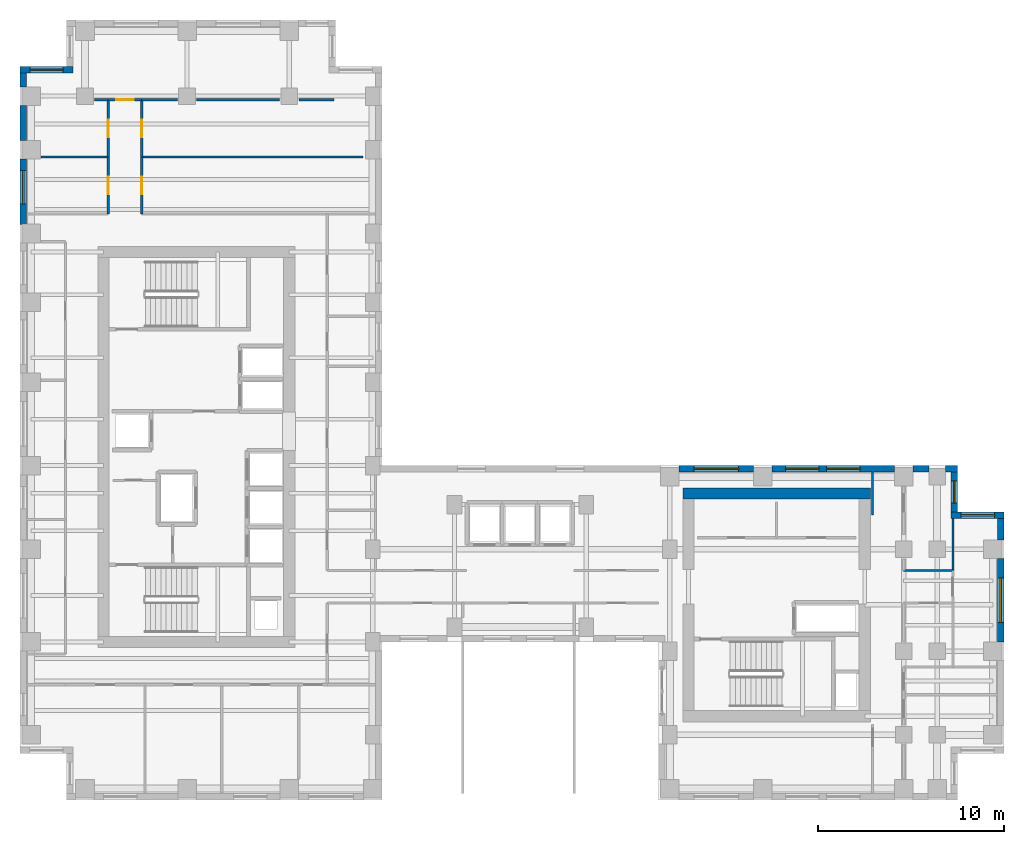
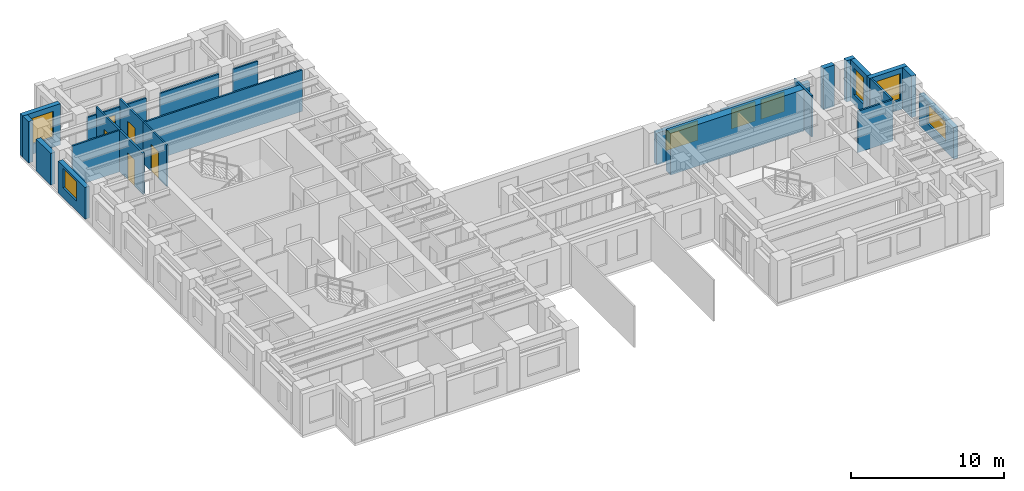
# One storey, part 9 of 12: 27 walls, 8 windows, 5 doors, 13 openings.
"""IFC4 building model written with IfcOpenShell, lengths in metres."""

from ifc_helpers import new_model, si_unit, direction, frame, frame_2d, origin, place, context, subcontext, project, spatial, rectangle, extrude, source, transform, mapped, material, layer, layer_set, type_object, element, fill, save


model = new_model("IFC4")

# Units and contexts
model_context = context("Model", 3, precision=1e-05, world=origin(), true_north=direction((0.0, 1.0)))
body_context = subcontext(model_context, "Body", "Model", "MODEL_VIEW")
ifc_project = project(units=[si_unit("LENGTHUNIT", "METRE"), si_unit("AREAUNIT", "SQUARE_METRE"), si_unit("VOLUMEUNIT", "CUBIC_METRE"), si_unit("PLANEANGLEUNIT", "RADIAN"), si_unit("MASSUNIT", "GRAM", prefix="KILO")], contexts=[model_context])

# Site, building, storey
site_placement = place(None, origin())
site = spatial("IfcSite", under=ifc_project, at=site_placement, CompositionType="ELEMENT")
building_placement = place(site_placement, origin())
building = spatial("IfcBuilding", under=site, at=building_placement, Name="Kharzan Plaza Tower", CompositionType="ELEMENT")
storey_placement = place(building_placement, frame((0.0, 0.0, 204.300048828125)))
storey = spatial("IfcBuildingStorey", under=building, at=storey_placement, Name="L55", CompositionType="ELEMENT", Elevation=204.300048828125)

# Wall, opening, window
ifc_material_1 = material(Name="Concrete C40/50", Category="concrete")
ifc_layer_1 = layer(ifc_material_1, 0.35009765625)
ifc_layer_set_1 = layer_set([ifc_layer_1], Name="Concrete C40/50")
wall_type_1 = type_object("IfcWallType", Name="WL-EXT-MAS-Z3", PredefinedType="SOLIDWALL", material=ifc_layer_set_1)
wall_1_placement = place(storey_placement, frame((2.85009765625, 39.324951171875, 0.0), z_axis=(0.0, 0.0, 1.0), x_axis=(-1.0, 0.0, 0.0)))
wall_1 = element("IfcWall", 1, at=wall_1_placement, inside=storey, type_object=wall_type_1, Name="L55 Masonry-Frame Exterior Wall 08", PredefinedType="SOLIDWALL", context=body_context, shape_type="SweptSolid", body=[
    extrude(rectangle(XDim=2.85009765625, YDim=0.35009765625, at=frame_2d((1.425048828125, 0.0))), origin(), (0.0, 0.0, 1.0), 3.304931640625),
])
opening_1_placement = place(wall_1_placement, frame((0.52490234375, 0.0, 0.780029296875)))
opening_1 = element("IfcOpeningElement", 2, at=opening_1_placement, cuts=wall_1, Name="Opening W1", PredefinedType="OPENING", context=body_context, shape_type="SweptSolid", body=[
    extrude(rectangle(XDim=1.800048828125, YDim=2.10009765625, at=frame_2d((0.89990234375, 1.050048828125))), frame((0.0, 0.18505859375, 0.0), z_axis=(0.0, -1.0, 0.0), x_axis=(1.0, 0.0, 0.0)), (0.0, 0.0, 1.0), 0.3701171875),
])
ifc_material_2 = material(Name="Low-E Double Glazing", Category="glass")
window_type_1 = type_object("IfcWindowType", Name="WN-REC-1800x2100", PartitioningType="SINGLE_PANEL", PredefinedType="WINDOW", material=ifc_material_2)
shared_shape_1 = source(origin(), body_context, "Body", "SweptSolid", [
    extrude(rectangle(XDim=1.800048828125, YDim=2.10009765625, at=frame_2d((0.89990234375, 1.050048828125))), frame((0.0, 0.030029296875, 0.0), z_axis=(0.0, -1.0, 0.0), x_axis=(1.0, 0.0, 0.0)), (0.0, 0.0, 1.0), 0.06005859375),
])
window_1_placement = place(opening_1_placement, origin())
window_1 = element("IfcWindow", 3, at=window_1_placement, inside=storey, type_object=window_type_1, Name="L55 Recessed Solar-Control Window 08-1", OverallHeight=2.10009765625, OverallWidth=1.800048828125, PartitioningType="SINGLE_PANEL", PredefinedType="WINDOW", context=body_context, shape_type="MappedRepresentation", body=[
    mapped(shared_shape_1, transform((0.0, 0.0, 0.0), x_axis=(1.0, 0.0, 0.0), y_axis=(0.0, 1.0, 0.0), z_axis=(0.0, 0.0, 1.0))),
])
fill(opening_1, window_1)

wall_2_placement = place(storey_placement, frame((0.175048828125, 34.501953125, 0.0), z_axis=(0.0, 0.0, 1.0), x_axis=(0.0, -1.0, 0.0)))
wall_2 = element("IfcWall", 4, at=wall_2_placement, inside=storey, type_object=wall_type_1, Name="L55 Masonry-Frame Exterior Wall 11", PredefinedType="SOLIDWALL", context=body_context, shape_type="SweptSolid", body=[
    extrude(rectangle(XDim=3.50390625, YDim=0.35009765625, at=frame_2d((1.751953125, 0.0))), origin(), (0.0, 0.0, 1.0), 2.531982421875),
])
opening_2_placement = place(wall_2_placement, frame((0.611083984375, 0.0, 0.780029296875)))
opening_2 = element("IfcOpeningElement", 5, at=opening_2_placement, cuts=wall_2, Name="Opening W1", PredefinedType="OPENING", context=body_context, shape_type="SweptSolid", body=[
    extrude(rectangle(XDim=1.800048828125, YDim=1.572021484375, at=frame_2d((0.89990234375, 0.7861328125))), frame((0.0, 0.18505859375, 0.0), z_axis=(0.0, -1.0, 0.0), x_axis=(1.0, 0.0, 0.0)), (0.0, 0.0, 1.0), 0.3701171875),
])
shared_shape_2 = source(origin(), body_context, "Body", "SweptSolid", [
    extrude(rectangle(XDim=1.800048828125, YDim=1.572021484375, at=frame_2d((0.89990234375, 0.7861328125))), frame((0.0, 0.030029296875, 0.0), z_axis=(0.0, -1.0, 0.0), x_axis=(1.0, 0.0, 0.0)), (0.0, 0.0, 1.0), 0.06005859375),
])
window_2_placement = place(opening_2_placement, origin())
window_2 = element("IfcWindow", 6, at=window_2_placement, inside=storey, type_object=window_type_1, Name="L55 Recessed Solar-Control Window 11-1", OverallHeight=1.572021484375, OverallWidth=1.800048828125, PartitioningType="SINGLE_PANEL", PredefinedType="WINDOW", context=body_context, shape_type="MappedRepresentation", body=[
    mapped(shared_shape_2, transform((0.0, 0.0, 0.0), x_axis=(1.0, 0.0, 0.0), y_axis=(0.0, 1.0, 0.0), z_axis=(0.0, 0.0, 1.0))),
])
fill(opening_2, window_2)

wall_3_placement = place(storey_placement, frame((52.824951171875, 8.498046875, 0.0), z_axis=(0.0, 0.0, 1.0), x_axis=(0.0, 1.0, 0.0)))
wall_3 = element("IfcWall", 7, at=wall_3_placement, inside=storey, type_object=wall_type_1, Name="L55 Masonry-Frame Exterior Wall 39", PredefinedType="SOLIDWALL", context=body_context, shape_type="SweptSolid", body=[
    extrude(rectangle(XDim=4.50390625, YDim=0.35009765625, at=frame_2d((2.251953125, 0.0))), origin(), (0.0, 0.0, 1.0), 2.531982421875),
])
opening_3_placement = place(wall_3_placement, frame((1.052001953125, 0.0, 0.780029296875)))
opening_3 = element("IfcOpeningElement", 8, at=opening_3_placement, cuts=wall_3, Name="Opening W2", PredefinedType="OPENING", context=body_context, shape_type="SweptSolid", body=[
    extrude(rectangle(XDim=2.39990234375, YDim=1.572021484375, at=frame_2d((1.199951171875, 0.7861328125))), frame((0.0, 0.18505859375, 0.0), z_axis=(0.0, -1.0, 0.0), x_axis=(1.0, 0.0, 0.0)), (0.0, 0.0, 1.0), 0.3701171875),
])
window_type_2 = type_object("IfcWindowType", Name="WN-REC-2400x2100", PartitioningType="SINGLE_PANEL", PredefinedType="WINDOW", material=ifc_material_2)
shared_shape_3 = source(origin(), body_context, "Body", "SweptSolid", [
    extrude(rectangle(XDim=2.39990234375, YDim=1.572021484375, at=frame_2d((1.199951171875, 0.7861328125))), frame((0.0, 0.030029296875, 0.0), z_axis=(0.0, -1.0, 0.0), x_axis=(1.0, 0.0, 0.0)), (0.0, 0.0, 1.0), 0.06005859375),
])
window_3_placement = place(opening_3_placement, origin())
window_3 = element("IfcWindow", 9, at=window_3_placement, inside=storey, type_object=window_type_2, Name="L55 Wide Recessed Solar-Control Window 39-1", OverallHeight=1.572021484375, OverallWidth=2.39990234375, PartitioningType="SINGLE_PANEL", PredefinedType="WINDOW", context=body_context, shape_type="MappedRepresentation", body=[
    mapped(shared_shape_3, transform((0.0, 0.0, 0.0), x_axis=(1.0, 0.0, 0.0), y_axis=(0.0, 1.0, 0.0), z_axis=(0.0, 0.0, 1.0))),
])
fill(opening_3, window_3)

wall_4_placement = place(storey_placement, frame((53.0, 15.324951171875, 0.0), z_axis=(0.0, 0.0, 1.0), x_axis=(-1.0, 0.0, 0.0)))
wall_4 = element("IfcWall", 10, at=wall_4_placement, inside=storey, type_object=wall_type_1, Name="L55 Masonry-Frame Exterior Wall 41", PredefinedType="SOLIDWALL", context=body_context, shape_type="SweptSolid", body=[
    extrude(rectangle(XDim=2.85009765625, YDim=0.35009765625, at=frame_2d((1.425048828125, 0.0))), origin(), (0.0, 0.0, 1.0), 3.304931640625),
])
opening_4_placement = place(wall_4_placement, frame((0.510009765625, 0.0, 0.780029296875)))
opening_4 = element("IfcOpeningElement", 11, at=opening_4_placement, cuts=wall_4, Name="Opening W1", PredefinedType="OPENING", context=body_context, shape_type="SweptSolid", body=[
    extrude(rectangle(XDim=1.800048828125, YDim=2.10009765625, at=frame_2d((0.89990234375, 1.050048828125))), frame((0.0, 0.18505859375, 0.0), z_axis=(0.0, -1.0, 0.0), x_axis=(1.0, 0.0, 0.0)), (0.0, 0.0, 1.0), 0.3701171875),
])
window_4_placement = place(opening_4_placement, origin())
window_4 = element("IfcWindow", 12, at=window_4_placement, inside=storey, type_object=window_type_1, Name="L55 Recessed Solar-Control Window 41-1", OverallHeight=2.10009765625, OverallWidth=1.800048828125, PartitioningType="SINGLE_PANEL", PredefinedType="WINDOW", context=body_context, shape_type="MappedRepresentation", body=[
    mapped(shared_shape_1, transform((0.0, 0.0, 0.0), x_axis=(1.0, 0.0, 0.0), y_axis=(0.0, 1.0, 0.0), z_axis=(0.0, 0.0, 1.0))),
])
fill(opening_4, window_4)

wall_5_placement = place(storey_placement, frame((50.324951171875, 15.498046875, 0.0), z_axis=(0.0, 0.0, 1.0), x_axis=(0.0, 1.0, 0.0)))
wall_5 = element("IfcWall", 13, at=wall_5_placement, inside=storey, type_object=wall_type_1, Name="L55 Masonry-Frame Exterior Wall 42", PredefinedType="SOLIDWALL", context=body_context, shape_type="SweptSolid", body=[
    extrude(rectangle(XDim=2.154052734375, YDim=0.35009765625, at=frame_2d((1.0771484375, 0.0))), origin(), (0.0, 0.0, 1.0), 3.304931640625),
])
opening_5_placement = place(wall_5_placement, frame((0.47705078125, 0.0, 0.780029296875)))
opening_5 = element("IfcOpeningElement", 14, at=opening_5_placement, cuts=wall_5, Name="Opening W3", PredefinedType="OPENING", context=body_context, shape_type="SweptSolid", body=[
    extrude(rectangle(XDim=1.199951171875, YDim=2.10009765625, at=frame_2d((0.60009765625, 1.050048828125))), frame((0.0, 0.18505859375, 0.0), z_axis=(0.0, -1.0, 0.0), x_axis=(1.0, 0.0, 0.0)), (0.0, 0.0, 1.0), 0.3701171875),
])
window_type_3 = type_object("IfcWindowType", Name="WN-REC-1200x2100", PartitioningType="SINGLE_PANEL", PredefinedType="WINDOW", material=ifc_material_2)
shared_shape_4 = source(origin(), body_context, "Body", "SweptSolid", [
    extrude(rectangle(XDim=1.199951171875, YDim=2.10009765625, at=frame_2d((0.60009765625, 1.050048828125))), frame((0.0, 0.030029296875, 0.0), z_axis=(0.0, -1.0, 0.0), x_axis=(1.0, 0.0, 0.0)), (0.0, 0.0, 1.0), 0.06005859375),
])
window_5_placement = place(opening_5_placement, origin())
window_5 = element("IfcWindow", 15, at=window_5_placement, inside=storey, type_object=window_type_3, Name="L55 Recessed Solar-Control Window 42-1", OverallHeight=2.10009765625, OverallWidth=1.199951171875, PartitioningType="SINGLE_PANEL", PredefinedType="WINDOW", context=body_context, shape_type="MappedRepresentation", body=[
    mapped(shared_shape_4, transform((0.0, 0.0, 0.0), x_axis=(1.0, 0.0, 0.0), y_axis=(0.0, 1.0, 0.0), z_axis=(0.0, 0.0, 1.0))),
])
fill(opening_5, window_5)

# Wall, openings, windows
wall_6_placement = place(storey_placement, frame((47.10205078125, 17.824951171875, 0.0), z_axis=(0.0, 0.0, 1.0), x_axis=(-1.0, 0.0, 0.0)))
wall_6 = element("IfcWall", 16, at=wall_6_placement, inside=storey, type_object=wall_type_1, Name="L55 Masonry-Frame Exterior Wall 45", PredefinedType="SOLIDWALL", context=body_context, shape_type="SweptSolid", body=[
    extrude(rectangle(XDim=6.60400390625, YDim=0.35009765625, at=frame_2d((3.302001953125, 0.0))), origin(), (0.0, 0.0, 1.0), 2.531982421875),
])
opening_6_placement = place(wall_6_placement, frame((1.849365234375, 0.0, 0.780029296875)))
opening_6 = element("IfcOpeningElement", 17, at=opening_6_placement, cuts=wall_6, Name="Opening W1", PredefinedType="OPENING", context=body_context, shape_type="SweptSolid", body=[
    extrude(rectangle(XDim=1.800048828125, YDim=1.572021484375, at=frame_2d((0.89990234375, 0.7861328125))), frame((0.0, 0.18505859375, 0.0), z_axis=(0.0, -1.0, 0.0), x_axis=(1.0, 0.0, 0.0)), (0.0, 0.0, 1.0), 0.3701171875),
])
opening_7_placement = place(wall_6_placement, frame((4.066650390625, 0.0, 0.780029296875)))
opening_7 = element("IfcOpeningElement", 18, at=opening_7_placement, cuts=wall_6, Name="Opening W1", PredefinedType="OPENING", context=body_context, shape_type="SweptSolid", body=[
    extrude(rectangle(XDim=1.800048828125, YDim=1.572021484375, at=frame_2d((0.89990234375, 0.7861328125))), frame((0.0, 0.18505859375, 0.0), z_axis=(0.0, -1.0, 0.0), x_axis=(1.0, 0.0, 0.0)), (0.0, 0.0, 1.0), 0.3701171875),
])
window_6_placement = place(opening_6_placement, origin())
window_6 = element("IfcWindow", 19, at=window_6_placement, inside=storey, type_object=window_type_1, Name="L55 Recessed Solar-Control Window 45-1", OverallHeight=1.572021484375, OverallWidth=1.800048828125, PartitioningType="SINGLE_PANEL", PredefinedType="WINDOW", context=body_context, shape_type="MappedRepresentation", body=[
    mapped(shared_shape_2, transform((0.0, 0.0, 0.0), x_axis=(1.0, 0.0, 0.0), y_axis=(0.0, 1.0, 0.0), z_axis=(0.0, 0.0, 1.0))),
])
fill(opening_6, window_6)
window_7_placement = place(opening_7_placement, origin())
window_7 = element("IfcWindow", 20, at=window_7_placement, inside=storey, type_object=window_type_1, Name="L55 Recessed Solar-Control Window 45-2", OverallHeight=1.572021484375, OverallWidth=1.800048828125, PartitioningType="SINGLE_PANEL", PredefinedType="WINDOW", context=body_context, shape_type="MappedRepresentation", body=[
    mapped(shared_shape_2, transform((0.0, 0.0, 0.0), x_axis=(1.0, 0.0, 0.0), y_axis=(0.0, 1.0, 0.0), z_axis=(0.0, 0.0, 1.0))),
])
fill(opening_7, window_7)

# Wall, opening, window
wall_7_placement = place(storey_placement, frame((39.501953125, 17.824951171875, 0.0), z_axis=(0.0, 0.0, 1.0), x_axis=(-1.0, 0.0, 0.0)))
wall_7 = element("IfcWall", 21, at=wall_7_placement, inside=storey, type_object=wall_type_1, Name="L55 Masonry-Frame Exterior Wall 46", PredefinedType="SOLIDWALL", context=body_context, shape_type="SweptSolid", body=[
    extrude(rectangle(XDim=4.00390625, YDim=0.35009765625, at=frame_2d((2.001953125, 0.0))), origin(), (0.0, 0.0, 1.0), 2.531982421875),
])
opening_8_placement = place(wall_7_placement, frame((0.802001953125, 0.0, 0.780029296875)))
opening_8 = element("IfcOpeningElement", 22, at=opening_8_placement, cuts=wall_7, Name="Opening W2", PredefinedType="OPENING", context=body_context, shape_type="SweptSolid", body=[
    extrude(rectangle(XDim=2.39990234375, YDim=1.572021484375, at=frame_2d((1.199951171875, 0.7861328125))), frame((0.0, 0.18505859375, 0.0), z_axis=(0.0, -1.0, 0.0), x_axis=(1.0, 0.0, 0.0)), (0.0, 0.0, 1.0), 0.3701171875),
])
window_8_placement = place(opening_8_placement, origin())
window_8 = element("IfcWindow", 23, at=window_8_placement, inside=storey, type_object=window_type_2, Name="L55 Wide Recessed Solar-Control Window 46-1", OverallHeight=1.572021484375, OverallWidth=2.39990234375, PartitioningType="SINGLE_PANEL", PredefinedType="WINDOW", context=body_context, shape_type="MappedRepresentation", body=[
    mapped(shared_shape_3, transform((0.0, 0.0, 0.0), x_axis=(1.0, 0.0, 0.0), y_axis=(0.0, 1.0, 0.0), z_axis=(0.0, 0.0, 1.0))),
])
fill(opening_8, window_8)

# Wall, opening, door
ifc_material_3 = material(Name="Fire-Rated Gypsum Board Partition", Category="gypsum")
ifc_layer_2 = layer(ifc_material_3, 0.125)
ifc_layer_set_2 = layer_set([ifc_layer_2], Name="Fire-Rated Gypsum Board Partition")
wall_type_2 = type_object("IfcWallType", Name="WL-INT-PART-125", PredefinedType="PARTITIONING", material=ifc_layer_set_2)
wall_8_placement = place(storey_placement, frame((6.550048828125, 31.550048828125, 0.0), z_axis=(0.0, 0.0, 1.0), x_axis=(0.0, 1.0, 0.0)))
wall_8 = element("IfcWall", 24, at=wall_8_placement, inside=storey, type_object=wall_type_2, Name="L55 Interior Partition SH-SPE-1", PredefinedType="PARTITIONING", context=body_context, shape_type="SweptSolid", body=[
    extrude(rectangle(XDim=3.074951171875, YDim=0.125, at=frame_2d((1.53759765625, 0.0))), origin(), (0.0, 0.0, 1.0), 3.304931640625),
])
opening_9_placement = place(wall_8_placement, frame((1.0625, 0.0, 0.0)))
opening_9 = element("IfcOpeningElement", 25, at=opening_9_placement, cuts=wall_8, Name="Opening OD1", PredefinedType="OPENING", context=body_context, shape_type="SweptSolid", body=[
    extrude(rectangle(XDim=0.949951171875, YDim=2.14990234375, at=frame_2d((0.47509765625, 1.074951171875))), frame((0.0, 0.072509765625, 0.0), z_axis=(0.0, -1.0, 0.0), x_axis=(1.0, 0.0, 0.0)), (0.0, 0.0, 1.0), 0.14501953125),
])
ifc_material_4 = material(Name="Acoustic Solid-Core Stained Oak", Category="timber")
door_type = type_object("IfcDoorType", Name="DR-OFF-SINGLE", OperationType="NOTDEFINED", PredefinedType="DOOR", material=ifc_material_4)
shared_shape_5 = source(origin(), body_context, "Body", "SweptSolid", [
    extrude(rectangle(XDim=0.949951171875, YDim=2.14990234375, at=frame_2d((0.47509765625, 1.074951171875))), frame((0.0, 0.02490234375, 0.0), z_axis=(0.0, -1.0, 0.0), x_axis=(1.0, 0.0, 0.0)), (0.0, 0.0, 1.0), 0.050048828125),
])
door_1_placement = place(opening_9_placement, origin())
door_1 = element("IfcDoor", 26, at=door_1_placement, inside=storey, type_object=door_type, Name="L55 Project Engineering Office Door", OperationType="SINGLE_SWING_LEFT", OverallHeight=2.14990234375, OverallWidth=0.949951171875, PredefinedType="DOOR", context=body_context, shape_type="MappedRepresentation", body=[
    mapped(shared_shape_5, transform((0.0, 0.0, 0.0), x_axis=(1.0, 0.0, 0.0), y_axis=(0.0, 1.0, 0.0), z_axis=(0.0, 0.0, 1.0))),
])
fill(opening_9, door_1)

wall_9_placement = place(storey_placement, frame((6.550048828125, 34.625, 0.0), z_axis=(0.0, 0.0, 1.0), x_axis=(0.0, 1.0, 0.0)))
wall_9 = element("IfcWall", 27, at=wall_9_placement, inside=storey, type_object=wall_type_2, Name="L55 Interior Partition SH-SPE-2", PredefinedType="PARTITIONING", context=body_context, shape_type="SweptSolid", body=[
    extrude(rectangle(XDim=3.074951171875, YDim=0.125, at=frame_2d((1.53759765625, 0.0))), origin(), (0.0, 0.0, 1.0), 3.304931640625),
])
opening_10_placement = place(wall_9_placement, frame((1.0625, 0.0, 0.0)))
opening_10 = element("IfcOpeningElement", 28, at=opening_10_placement, cuts=wall_9, Name="Opening OD1", PredefinedType="OPENING", context=body_context, shape_type="SweptSolid", body=[
    extrude(rectangle(XDim=0.949951171875, YDim=2.14990234375, at=frame_2d((0.47509765625, 1.074951171875))), frame((0.0, 0.072509765625, 0.0), z_axis=(0.0, -1.0, 0.0), x_axis=(1.0, 0.0, 0.0)), (0.0, 0.0, 1.0), 0.14501953125),
])
door_2_placement = place(opening_10_placement, origin())
door_2 = element("IfcDoor", 29, at=door_2_placement, inside=storey, type_object=door_type, Name="L55 Departmental Office Door", OperationType="SINGLE_SWING_RIGHT", OverallHeight=2.14990234375, OverallWidth=0.949951171875, PredefinedType="DOOR", context=body_context, shape_type="MappedRepresentation", body=[
    mapped(shared_shape_5, transform((0.0, 0.0, 0.0), x_axis=(1.0, 0.0, 0.0), y_axis=(0.0, 1.0, 0.0), z_axis=(0.0, 0.0, 1.0))),
])
fill(opening_10, door_2)

wall_10_placement = place(storey_placement, frame((4.75, 37.699951171875, 0.0), z_axis=(0.0, 0.0, 1.0), x_axis=(1.0, 0.0, 0.0)))
wall_10 = element("IfcWall", 30, at=wall_10_placement, inside=storey, type_object=wall_type_2, Name="L55 Interior Partition SH-SPHD", PredefinedType="PARTITIONING", context=body_context, shape_type="SweptSolid", body=[
    extrude(rectangle(XDim=1.800048828125, YDim=0.125, at=frame_2d((0.89990234375, 0.0))), origin(), (0.0, 0.0, 1.0), 2.69287109375),
])
opening_11_placement = place(wall_10_placement, frame((0.425048828125, 0.0, 0.0)))
opening_11 = element("IfcOpeningElement", 31, at=opening_11_placement, cuts=wall_10, Name="Opening OD1", PredefinedType="OPENING", context=body_context, shape_type="SweptSolid", body=[
    extrude(rectangle(XDim=0.949951171875, YDim=2.14990234375, at=frame_2d((0.47509765625, 1.074951171875))), frame((0.0, 0.072509765625, 0.0), z_axis=(0.0, -1.0, 0.0), x_axis=(1.0, 0.0, 0.0)), (0.0, 0.0, 1.0), 0.14501953125),
])
door_3_placement = place(opening_11_placement, origin())
door_3 = element("IfcDoor", 32, at=door_3_placement, inside=storey, type_object=door_type, Name="L55 North Boardroom Door", OperationType="SINGLE_SWING_LEFT", OverallHeight=2.14990234375, OverallWidth=0.949951171875, PredefinedType="DOOR", context=body_context, shape_type="MappedRepresentation", body=[
    mapped(shared_shape_5, transform((0.0, 0.0, 0.0), x_axis=(1.0, 0.0, 0.0), y_axis=(0.0, 1.0, 0.0), z_axis=(0.0, 0.0, 1.0))),
])
fill(opening_11, door_3)

wall_11_placement = place(storey_placement, frame((4.75, 31.550048828125, 0.0), z_axis=(0.0, 0.0, 1.0), x_axis=(0.0, 1.0, 0.0)))
wall_11 = element("IfcWall", 33, at=wall_11_placement, inside=storey, type_object=wall_type_2, Name="L55 Interior Partition SH-SPW-1", PredefinedType="PARTITIONING", context=body_context, shape_type="SweptSolid", body=[
    extrude(rectangle(XDim=3.074951171875, YDim=0.125, at=frame_2d((1.53759765625, 0.0))), origin(), (0.0, 0.0, 1.0), 3.304931640625),
])
opening_12_placement = place(wall_11_placement, frame((1.0625, 0.0, 0.0)))
opening_12 = element("IfcOpeningElement", 34, at=opening_12_placement, cuts=wall_11, Name="Opening OD1", PredefinedType="OPENING", context=body_context, shape_type="SweptSolid", body=[
    extrude(rectangle(XDim=0.949951171875, YDim=2.14990234375, at=frame_2d((0.47509765625, 1.074951171875))), frame((0.0, 0.072509765625, 0.0), z_axis=(0.0, -1.0, 0.0), x_axis=(1.0, 0.0, 0.0)), (0.0, 0.0, 1.0), 0.14501953125),
])
door_4_placement = place(opening_12_placement, origin())
door_4 = element("IfcDoor", 35, at=door_4_placement, inside=storey, type_object=door_type, Name="L55 Systems Planning Office Door", OperationType="SINGLE_SWING_LEFT", OverallHeight=2.14990234375, OverallWidth=0.949951171875, PredefinedType="DOOR", context=body_context, shape_type="MappedRepresentation", body=[
    mapped(shared_shape_5, transform((0.0, 0.0, 0.0), x_axis=(1.0, 0.0, 0.0), y_axis=(0.0, 1.0, 0.0), z_axis=(0.0, 0.0, 1.0))),
])
fill(opening_12, door_4)

wall_12_placement = place(storey_placement, frame((4.75, 34.625, 0.0), z_axis=(0.0, 0.0, 1.0), x_axis=(0.0, 1.0, 0.0)))
wall_12 = element("IfcWall", 36, at=wall_12_placement, inside=storey, type_object=wall_type_2, Name="L55 Interior Partition SH-SPW-2", PredefinedType="PARTITIONING", context=body_context, shape_type="SweptSolid", body=[
    extrude(rectangle(XDim=3.074951171875, YDim=0.125, at=frame_2d((1.53759765625, 0.0))), origin(), (0.0, 0.0, 1.0), 3.304931640625),
])
opening_13_placement = place(wall_12_placement, frame((1.0625, 0.0, 0.0)))
opening_13 = element("IfcOpeningElement", 37, at=opening_13_placement, cuts=wall_12, Name="Opening OD1", PredefinedType="OPENING", context=body_context, shape_type="SweptSolid", body=[
    extrude(rectangle(XDim=0.949951171875, YDim=2.14990234375, at=frame_2d((0.47509765625, 1.074951171875))), frame((0.0, 0.072509765625, 0.0), z_axis=(0.0, -1.0, 0.0), x_axis=(1.0, 0.0, 0.0)), (0.0, 0.0, 1.0), 0.14501953125),
])
door_5_placement = place(opening_13_placement, origin())
door_5 = element("IfcDoor", 38, at=door_5_placement, inside=storey, type_object=door_type, Name="L55 Open Office Workspace Door", OperationType="SINGLE_SWING_RIGHT", OverallHeight=2.14990234375, OverallWidth=0.949951171875, PredefinedType="DOOR", context=body_context, shape_type="MappedRepresentation", body=[
    mapped(shared_shape_5, transform((0.0, 0.0, 0.0), x_axis=(1.0, 0.0, 0.0), y_axis=(0.0, 1.0, 0.0), z_axis=(0.0, 0.0, 1.0))),
])
fill(opening_13, door_5)

# Walls
shared_shape_6 = source(origin(), body_context, "Body", "SweptSolid", [
    extrude(rectangle(XDim=2.2978515625, YDim=0.125, at=frame_2d((1.14892578125, 0.0))), origin(), (0.0, 0.0, 1.0), 3.304931640625),
])
wall_13_placement = place(storey_placement, frame((45.919921875, 15.35009765625, 0.0), z_axis=(0.0, 0.0, 1.0), x_axis=(0.0, 1.0, 0.0)))
element("IfcWall", 39, at=wall_13_placement, inside=storey, type_object=wall_type_2, Name="L55 Interior Partition SH-RBNE0", PredefinedType="PARTITIONING", context=body_context, shape_type="MappedRepresentation", body=[
    mapped(shared_shape_6, transform((0.0, 0.0, 0.0), x_axis=(1.0, 0.0, 0.0), y_axis=(0.0, 1.0, 0.0), z_axis=(0.0, 0.0, 1.0))),
])
ifc_material_5 = material(Name="Concrete C50/60", Category="concrete")
ifc_layer_3 = layer(ifc_material_5, 0.60009765625)
ifc_layer_set_3 = layer_set([ifc_layer_3], Name="Concrete C50/60")
wall_type_3 = type_object("IfcWallType", Name="WL-CORE-600", PredefinedType="SHEAR", material=ifc_layer_set_3)
shared_shape_7 = source(origin(), body_context, "Body", "SweptSolid", [
    extrude(rectangle(XDim=10.10009765625, YDim=0.60009765625, at=frame_2d((5.050048828125, 0.0))), origin(), (0.0, 0.0, 1.0), 3.320068359375),
])
wall_14_placement = place(storey_placement, frame((35.699951171875, 16.5, 0.0), z_axis=(0.0, 0.0, 1.0), x_axis=(1.0, 0.0, 0.0)))
element("IfcWall", 40, at=wall_14_placement, inside=storey, type_object=wall_type_3, Name="L55 CORE-B north RC shear wall", PredefinedType="SHEAR", context=body_context, shape_type="MappedRepresentation", body=[
    mapped(shared_shape_7, transform((0.0, 0.0, 0.0), x_axis=(1.0, 0.0, 0.0), y_axis=(0.0, 1.0, 0.0), z_axis=(0.0, 0.0, 1.0))),
])
shared_shape_8 = source(origin(), body_context, "Body", "SweptSolid", [
    extrude(rectangle(XDim=0.754150390625, YDim=0.35009765625, at=frame_2d((0.376953125, 0.0))), origin(), (0.0, 0.0, 1.0), 3.304931640625),
])
wall_15_placement = place(storey_placement, frame((0.175048828125, 39.152099609375, 0.0), z_axis=(0.0, 0.0, 1.0), x_axis=(0.0, -1.0, 0.0)))
element("IfcWall", 41, at=wall_15_placement, inside=storey, type_object=wall_type_1, Name="L55 Masonry-Frame Exterior Wall 09", PredefinedType="SOLIDWALL", context=body_context, shape_type="MappedRepresentation", body=[
    mapped(shared_shape_8, transform((0.0, 0.0, 0.0), x_axis=(1.0, 0.0, 0.0), y_axis=(0.0, 1.0, 0.0), z_axis=(0.0, 0.0, 1.0))),
])
shared_shape_9 = source(origin(), body_context, "Body", "SweptSolid", [
    extrude(rectangle(XDim=1.904052734375, YDim=0.35009765625, at=frame_2d((0.9521484375, 0.0))), origin(), (0.0, 0.0, 1.0), 2.531982421875),
])
wall_16_placement = place(storey_placement, frame((0.175048828125, 37.402099609375, 0.0), z_axis=(0.0, 0.0, 1.0), x_axis=(0.0, -1.0, 0.0)))
element("IfcWall", 42, at=wall_16_placement, inside=storey, type_object=wall_type_1, Name="L55 Masonry-Frame Exterior Wall 10", PredefinedType="SOLIDWALL", context=body_context, shape_type="MappedRepresentation", body=[
    mapped(shared_shape_9, transform((0.0, 0.0, 0.0), x_axis=(1.0, 0.0, 0.0), y_axis=(0.0, 1.0, 0.0), z_axis=(0.0, 0.0, 1.0))),
])
shared_shape_10 = source(origin(), body_context, "Body", "SweptSolid", [
    extrude(rectangle(XDim=1.154052734375, YDim=0.35009765625, at=frame_2d((0.5771484375, 0.0))), origin(), (0.0, 0.0, 1.0), 3.304931640625),
])
wall_17_placement = place(storey_placement, frame((52.824951171875, 13.998046875, 0.0), z_axis=(0.0, 0.0, 1.0), x_axis=(0.0, 1.0, 0.0)))
element("IfcWall", 43, at=wall_17_placement, inside=storey, type_object=wall_type_1, Name="L55 Masonry-Frame Exterior Wall 40", PredefinedType="SOLIDWALL", context=body_context, shape_type="MappedRepresentation", body=[
    mapped(shared_shape_10, transform((0.0, 0.0, 0.0), x_axis=(1.0, 0.0, 0.0), y_axis=(0.0, 1.0, 0.0), z_axis=(0.0, 0.0, 1.0))),
])
shared_shape_11 = source(origin(), body_context, "Body", "SweptSolid", [
    extrude(rectangle(XDim=0.652099609375, YDim=0.35009765625, at=frame_2d((0.326171875, 0.0))), origin(), (0.0, 0.0, 1.0), 3.304931640625),
])
wall_18_placement = place(storey_placement, frame((50.5, 17.824951171875, 0.0), z_axis=(0.0, 0.0, 1.0), x_axis=(-1.0, 0.0, 0.0)))
element("IfcWall", 44, at=wall_18_placement, inside=storey, type_object=wall_type_1, Name="L55 Masonry-Frame Exterior Wall 43", PredefinedType="SOLIDWALL", context=body_context, shape_type="MappedRepresentation", body=[
    mapped(shared_shape_11, transform((0.0, 0.0, 0.0), x_axis=(1.0, 0.0, 0.0), y_axis=(0.0, 1.0, 0.0), z_axis=(0.0, 0.0, 1.0))),
])
shared_shape_12 = source(origin(), body_context, "Body", "SweptSolid", [
    extrude(rectangle(XDim=0.85400390625, YDim=0.35009765625, at=frame_2d((0.427001953125, 0.0))), origin(), (0.0, 0.0, 1.0), 3.304931640625),
])
wall_19_placement = place(storey_placement, frame((48.951904296875, 17.824951171875, 0.0), z_axis=(0.0, 0.0, 1.0), x_axis=(-1.0, 0.0, 0.0)))
element("IfcWall", 45, at=wall_19_placement, inside=storey, type_object=wall_type_1, Name="L55 Masonry-Frame Exterior Wall 44", PredefinedType="SOLIDWALL", context=body_context, shape_type="MappedRepresentation", body=[
    mapped(shared_shape_12, transform((0.0, 0.0, 0.0), x_axis=(1.0, 0.0, 0.0), y_axis=(0.0, 1.0, 0.0), z_axis=(0.0, 0.0, 1.0))),
])
shared_shape_13 = source(origin(), body_context, "Body", "SweptSolid", [
    extrude(rectangle(XDim=2.64990234375, YDim=0.125, at=frame_2d((1.324951171875, 0.0))), origin(), (0.0, 0.0, 1.0), 3.304931640625),
])
wall_20_placement = place(storey_placement, frame((47.60009765625, 12.35009765625, 0.0), z_axis=(0.0, 0.0, 1.0), x_axis=(1.0, 0.0, 0.0)))
element("IfcWall", 46, at=wall_20_placement, inside=storey, type_object=wall_type_2, Name="L55 Interior Partition SH-B2N3", PredefinedType="PARTITIONING", context=body_context, shape_type="MappedRepresentation", body=[
    mapped(shared_shape_13, transform((0.0, 0.0, 0.0), x_axis=(1.0, 0.0, 0.0), y_axis=(0.0, 1.0, 0.0), z_axis=(0.0, 0.0, 1.0))),
])
shared_shape_14 = source(origin(), body_context, "Body", "SweptSolid", [
    extrude(rectangle(XDim=2.7978515625, YDim=0.125, at=frame_2d((1.39892578125, 0.0))), origin(), (0.0, 0.0, 1.0), 3.304931640625),
])
wall_21_placement = place(storey_placement, frame((50.25, 12.35009765625, 0.0), z_axis=(0.0, 0.0, 1.0), x_axis=(0.0, 1.0, 0.0)))
element("IfcWall", 47, at=wall_21_placement, inside=storey, type_object=wall_type_2, Name="L55 Interior Partition SH-B2V2", PredefinedType="PARTITIONING", context=body_context, shape_type="MappedRepresentation", body=[
    mapped(shared_shape_14, transform((0.0, 0.0, 0.0), x_axis=(1.0, 0.0, 0.0), y_axis=(0.0, 1.0, 0.0), z_axis=(0.0, 0.0, 1.0))),
])
shared_shape_15 = source(origin(), body_context, "Body", "SweptSolid", [
    extrude(rectangle(XDim=11.929931640625, YDim=0.125, at=frame_2d((5.96484375, 0.0))), origin(), (0.0, 0.0, 1.0), 3.304931640625),
])
wall_22_placement = place(storey_placement, frame((6.550048828125, 34.625, 0.0), z_axis=(0.0, 0.0, 1.0), x_axis=(1.0, 0.0, 0.0)))
element("IfcWall", 48, at=wall_22_placement, inside=storey, type_object=wall_type_2, Name="L55 Interior Partition SH-NEH-1", PredefinedType="PARTITIONING", context=body_context, shape_type="MappedRepresentation", body=[
    mapped(shared_shape_15, transform((0.0, 0.0, 0.0), x_axis=(1.0, 0.0, 0.0), y_axis=(0.0, 1.0, 0.0), z_axis=(0.0, 0.0, 1.0))),
])
shared_shape_16 = source(origin(), body_context, "Body", "SweptSolid", [
    extrude(rectangle(XDim=3.6298828125, YDim=0.125, at=frame_2d((1.81494140625, 0.0))), origin(), (0.0, 0.0, 1.0), 3.304931640625),
])
wall_23_placement = place(storey_placement, frame((1.1201171875, 34.625, 0.0), z_axis=(0.0, 0.0, 1.0), x_axis=(1.0, 0.0, 0.0)))
element("IfcWall", 49, at=wall_23_placement, inside=storey, type_object=wall_type_2, Name="L55 Interior Partition SH-NWH-1", PredefinedType="PARTITIONING", context=body_context, shape_type="MappedRepresentation", body=[
    mapped(shared_shape_16, transform((0.0, 0.0, 0.0), x_axis=(1.0, 0.0, 0.0), y_axis=(0.0, 1.0, 0.0), z_axis=(0.0, 0.0, 1.0))),
])
shared_shape_17 = source(origin(), body_context, "Body", "SweptSolid", [
    extrude(rectangle(XDim=1.929931640625, YDim=0.125, at=frame_2d((0.96484375, 0.0))), origin(), (0.0, 0.0, 1.0), 2.69287109375),
])
wall_24_placement = place(storey_placement, frame((6.550048828125, 37.699951171875, 0.0), z_axis=(0.0, 0.0, 1.0), x_axis=(1.0, 0.0, 0.0)))
element("IfcWall", 50, at=wall_24_placement, inside=storey, type_object=wall_type_2, Name="L55 Interior Partition SH-SPHE-S1", PredefinedType="PARTITIONING", context=body_context, shape_type="MappedRepresentation", body=[
    mapped(shared_shape_17, transform((0.0, 0.0, 0.0), x_axis=(1.0, 0.0, 0.0), y_axis=(0.0, 1.0, 0.0), z_axis=(0.0, 0.0, 1.0))),
])
shared_shape_18 = source(origin(), body_context, "Body", "SweptSolid", [
    extrude(rectangle(XDim=4.4599609375, YDim=0.125, at=frame_2d((2.22998046875, 0.0))), origin(), (0.0, 0.0, 1.0), 2.69287109375),
])
wall_25_placement = place(storey_placement, frame((9.52001953125, 37.699951171875, 0.0), z_axis=(0.0, 0.0, 1.0), x_axis=(1.0, 0.0, 0.0)))
element("IfcWall", 51, at=wall_25_placement, inside=storey, type_object=wall_type_2, Name="L55 Interior Partition SH-SPHE-S2", PredefinedType="PARTITIONING", context=body_context, shape_type="MappedRepresentation", body=[
    mapped(shared_shape_18, transform((0.0, 0.0, 0.0), x_axis=(1.0, 0.0, 0.0), y_axis=(0.0, 1.0, 0.0), z_axis=(0.0, 0.0, 1.0))),
])
shared_shape_19 = source(origin(), body_context, "Body", "SweptSolid", [
    extrude(rectangle(XDim=1.8798828125, YDim=0.125, at=frame_2d((0.93994140625, 0.0))), origin(), (0.0, 0.0, 1.0), 2.69287109375),
])
wall_26_placement = place(storey_placement, frame((15.02001953125, 37.699951171875, 0.0), z_axis=(0.0, 0.0, 1.0), x_axis=(1.0, 0.0, 0.0)))
element("IfcWall", 52, at=wall_26_placement, inside=storey, type_object=wall_type_2, Name="L55 Interior Partition SH-SPHE-S3", PredefinedType="PARTITIONING", context=body_context, shape_type="MappedRepresentation", body=[
    mapped(shared_shape_19, transform((0.0, 0.0, 0.0), x_axis=(1.0, 0.0, 0.0), y_axis=(0.0, 1.0, 0.0), z_axis=(0.0, 0.0, 1.0))),
])
shared_shape_20 = source(origin(), body_context, "Body", "SweptSolid", [
    extrude(rectangle(XDim=0.72998046875, YDim=0.125, at=frame_2d((0.364990234375, 0.0))), origin(), (0.0, 0.0, 1.0), 2.69287109375),
])
wall_27_placement = place(storey_placement, frame((4.02001953125, 37.699951171875, 0.0), z_axis=(0.0, 0.0, 1.0), x_axis=(1.0, 0.0, 0.0)))
element("IfcWall", 53, at=wall_27_placement, inside=storey, type_object=wall_type_2, Name="L55 Interior Partition SH-SPHW", PredefinedType="PARTITIONING", context=body_context, shape_type="MappedRepresentation", body=[
    mapped(shared_shape_20, transform((0.0, 0.0, 0.0), x_axis=(1.0, 0.0, 0.0), y_axis=(0.0, 1.0, 0.0), z_axis=(0.0, 0.0, 1.0))),
])

save(model, "model.ifc")
